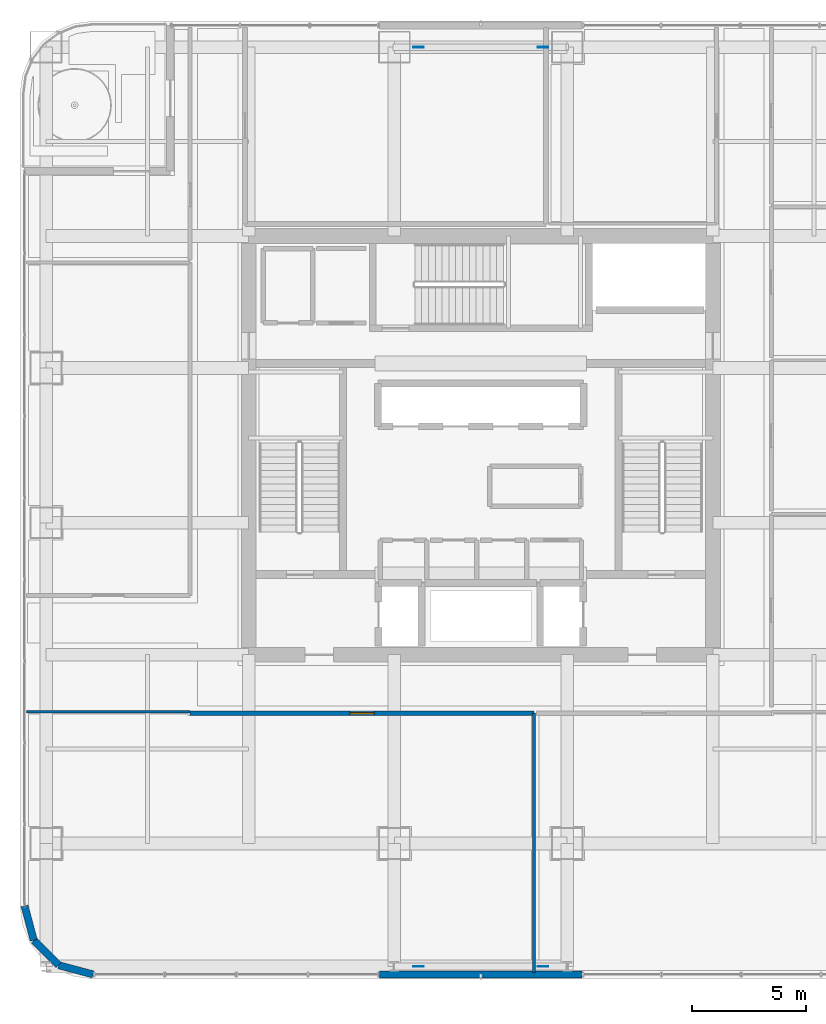
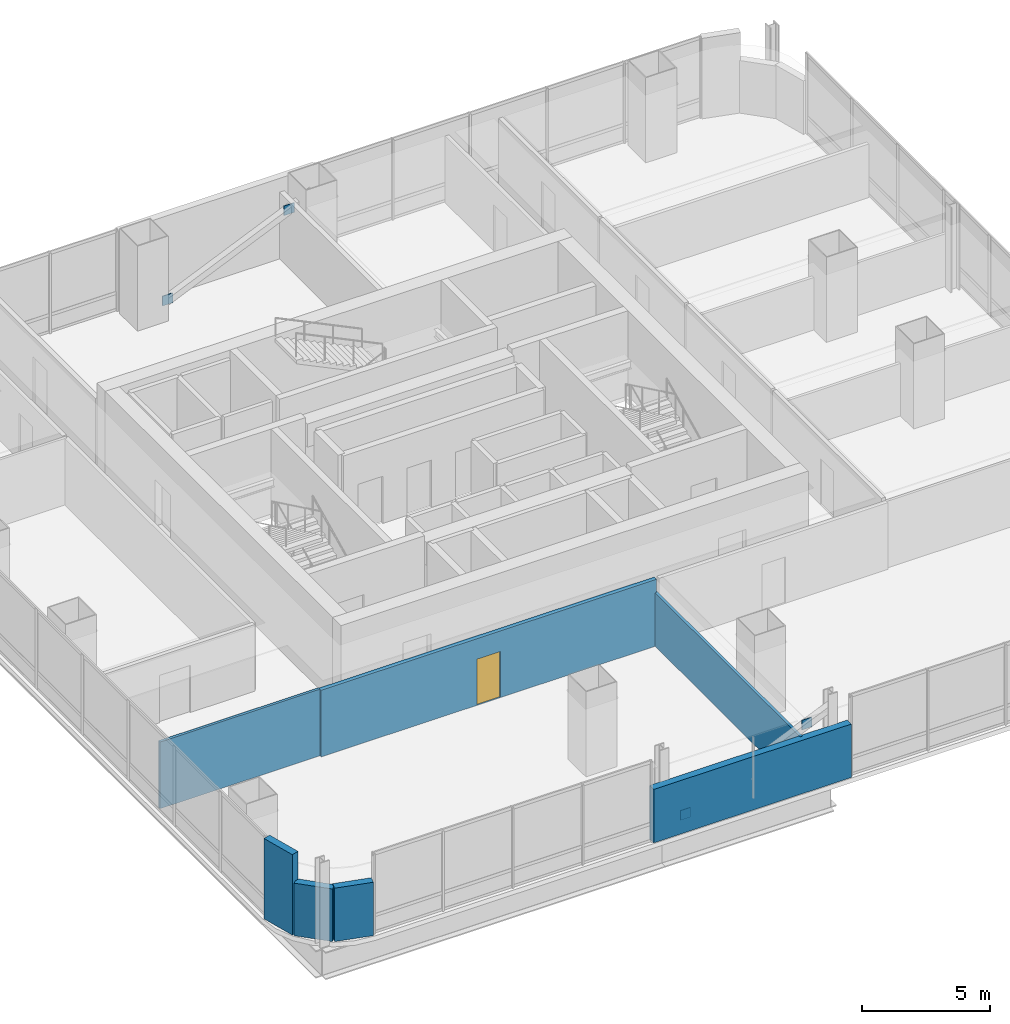
# One storey, part 29 of 41: 7 walls, 4 plates, 1 door, 1 opening.
"""IFC4 building model written with IfcOpenShell, lengths in metres."""

import ifcopenshell
import ifcopenshell.guid

model = None  # the IFC model being written
_history = None  # IfcOwnerHistory: only IFC2X3 demands one
_inside = {}  # id of a spatial element -> (the spatial element, [elements in it])
_under = {}  # id of a project, library or spatial element -> (it, [spatial elements below it])
_declared = {}  # id of a project -> (the project, [libraries it declares])
_typed = {}  # id of a type object -> (the type object, [elements of that type])
_made_of = {}  # id of a material, layer set ... -> (it, [elements and type objects made of it])


def new_model(schema):
    """Start an empty IFC model of exactly this schema.

    Asked for "IFC4X3", IfcOpenShell would pick the latest addendum, in which some entities
    have other attributes; the version numbers below select the first issue.
    IFC2X3 requires an IfcOwnerHistory on every rooted entity: one is made here for all.
    """
    global model, _history
    if schema == "IFC4X3":
        model = ifcopenshell.file(schema_version=(4, 3, 0, 0))
    else:
        model = ifcopenshell.file(schema=schema)
    _inside.clear()
    _under.clear()
    _declared.clear()
    _typed.clear()
    _made_of.clear()
    _history = None
    if model.schema == "IFC2X3":
        org = make("IfcOrganization", Name="unknown")
        user = make(
            "IfcPersonAndOrganization",
            ThePerson=make("IfcPerson", FamilyName="unknown"),
            TheOrganization=org,
        )
        app = make(
            "IfcApplication",
            ApplicationDeveloper=org,
            Version="unknown",
            ApplicationFullName="unknown",
            ApplicationIdentifier="unknown",
        )
        _history = make(
            "IfcOwnerHistory",
            OwningUser=user,
            OwningApplication=app,
            ChangeAction="ADDED",
            CreationDate=0,
        )
    return model


def make(cls, **values):
    """One entity of the class cls with the attributes given. An attribute that is None is left unset."""
    return model.create_entity(
        cls, **{name: value for name, value in values.items() if value is not None}
    )


def rooted(cls, **values):
    """An entity with a GlobalId (a new one), such as an element, a storey or a relation."""
    return make(cls, GlobalId=ifcopenshell.guid.new(), OwnerHistory=_history, **values)


def si_unit(unit_type, name, prefix=None):
    """IfcSIUnit, for example si_unit("LENGTHUNIT", "METRE", prefix="MILLI")."""
    return make("IfcSIUnit", UnitType=unit_type, Prefix=prefix, Name=name)


def assignment(units):
    """IfcUnitAssignment: the units of a project."""
    return None if units is None else make("IfcUnitAssignment", Units=units)


def point(xyz):
    """IfcCartesianPoint."""
    return None if xyz is None else make("IfcCartesianPoint", Coordinates=xyz)


def direction(xyz):
    """IfcDirection."""
    return None if xyz is None else make("IfcDirection", DirectionRatios=xyz)


def frame(location, z_axis=None, x_axis=None):
    """IfcAxis2Placement3D, a coordinate frame: its origin and axes. An axis left out is left unset."""
    return make(
        "IfcAxis2Placement3D",
        Location=point(location),
        Axis=direction(z_axis),
        RefDirection=direction(x_axis),
    )


def frame_2d(location, x_axis=None):
    """IfcAxis2Placement2D, a coordinate frame in the plane: its origin and x axis."""
    return make(
        "IfcAxis2Placement2D", Location=point(location), RefDirection=direction(x_axis)
    )


def origin():
    """The frame at (0, 0, 0) with its axes left unset."""
    return frame((0.0, 0.0, 0.0))


def origin_2d():
    """The frame at (0, 0) in the plane with its x axis left unset."""
    return frame_2d((0.0, 0.0))


def place(relative_to, where):
    """IfcLocalPlacement: puts the frame where relative to a parent placement (None: the world)."""
    return make(
        "IfcLocalPlacement", PlacementRelTo=relative_to, RelativePlacement=where
    )


def context(
    kind, dimensions, precision=None, world=None, true_north=None, identifier=None
):
    """IfcGeometricRepresentationContext, for example the 3D "Model" context."""
    return make(
        "IfcGeometricRepresentationContext",
        ContextIdentifier=identifier,
        ContextType=kind,
        CoordinateSpaceDimension=dimensions,
        Precision=precision,
        WorldCoordinateSystem=world,
        TrueNorth=true_north,
    )


def subcontext(parent, identifier, kind, view, scale=None):
    """IfcGeometricRepresentationSubContext, for example "Body" below "Model"."""
    return make(
        "IfcGeometricRepresentationSubContext",
        ContextIdentifier=identifier,
        ContextType=kind,
        ParentContext=parent,
        TargetScale=scale,
        TargetView=view,
    )


def project(units=None, contexts=None):
    """IfcProject with its units and contexts."""
    return rooted(
        "IfcProject",
        Name="project",
        RepresentationContexts=contexts,
        UnitsInContext=assignment(units),
    )


def spatial(cls, under=None, at=None, **own):
    """A site, building, storey or space (cls), placed at a placement, below another one or the project."""
    s = rooted(cls, ObjectPlacement=at, **own)
    if under is not None:
        _under.setdefault(under.id(), (under, []))[1].append(s)
    return s


def profile(cls, at=None, kind="AREA", **sizes):
    """A parametric profile (cls). Its sizes go by their IFC names, for example OverallWidth=200.0."""
    return make(cls, ProfileType=kind, Position=at, **sizes)


def rectangle(**sizes):
    """IfcRectangleProfileDef."""
    return profile("IfcRectangleProfileDef", **sizes)


def extrude(swept, where, along, depth):
    """IfcExtrudedAreaSolid: the profile swept, set in the frame where, extruded along a direction by depth."""
    return make(
        "IfcExtrudedAreaSolid",
        SweptArea=swept,
        Position=where,
        ExtrudedDirection=direction(along),
        Depth=depth,
    )


def shape(context_of_items, identifier, shape_type, items):
    """IfcShapeRepresentation: the items that make up one representation, for example the "Body"."""
    return make(
        "IfcShapeRepresentation",
        ContextOfItems=context_of_items,
        RepresentationIdentifier=identifier,
        RepresentationType=shape_type,
        Items=items,
    )


def material(Name=None, Category=None):
    """IfcMaterial."""
    return make("IfcMaterial", Name=Name, Category=Category)


def layer(
    of_material, thickness, ventilated=None, Name=None, Category=None, Priority=None
):
    """IfcMaterialLayer: one layer of a wall or slab, of a material (None: an air gap)."""
    return make(
        "IfcMaterialLayer",
        Material=of_material,
        LayerThickness=thickness,
        IsVentilated=ventilated,
        Name=Name,
        Category=Category,
        Priority=Priority,
    )


def layer_set(layers, Name=None):
    """IfcMaterialLayerSet."""
    return make("IfcMaterialLayerSet", MaterialLayers=layers, LayerSetName=Name)


def made_of(thing, what):
    """Note that an element or type object is made of a material, layer set ...; save() writes the relation."""
    if what is not None:
        _made_of.setdefault(what.id(), (what, []))[1].append(thing)
    return thing


def type_object(cls, material=None, **own):
    """A type object (cls), such as IfcWallType, which elements share."""
    return made_of(rooted(cls, **own), material)


def element(
    cls,
    number,
    at=None,
    inside=None,
    cuts=None,
    type_object=None,
    material=None,
    context=None,
    identifier="Body",
    shape_type=None,
    held_by="IfcProductDefinitionShape",
    body=None,
    shapes=None,
    **own,
):
    """One element of the class cls, such as IfcWall. Its Tag is "e" and its number.

    at: its placement. inside: the storey or other place that contains it. cuts: it is an
    opening in that element (IfcRelVoidsElement). A single representation is given by context,
    identifier, shape_type and body (its items); several are given by shapes. held_by: the class
    of the entity that holds the representations. save() writes the other relations.
    """
    e = rooted(cls, Tag="e%d" % number, ObjectPlacement=at, **own)
    if body is not None:
        shapes = [shape(context, identifier, shape_type, body)]
    if shapes is not None:
        e.Representation = make(held_by, Representations=shapes)
    if inside is not None:
        _inside.setdefault(inside.id(), (inside, []))[1].append(e)
    if cuts is not None:
        rooted(
            "IfcRelVoidsElement", RelatingBuildingElement=cuts, RelatedOpeningElement=e
        )
    if type_object is not None:
        _typed.setdefault(type_object.id(), (type_object, []))[1].append(e)
    return made_of(e, material)


def fill(opening, filler):
    """IfcRelFillsElement: the door or window that sits in an opening."""
    return rooted(
        "IfcRelFillsElement",
        RelatingOpeningElement=opening,
        RelatedBuildingElement=filler,
    )


def aggregate(whole, parts):
    """IfcRelAggregates: a whole, such as a stair, and the parts it consists of."""
    return rooted("IfcRelAggregates", RelatingObject=whole, RelatedObjects=parts)


def save(model, path):
    """Write the relations noted so far, then the file.

    IfcRelAggregates (storeys below a building ...), IfcRelContainedInSpatialStructure (elements
    in a storey), IfcRelDefinesByType, IfcRelAssociatesMaterial and IfcRelDeclares: one each for
    every whole, place, type object, material and project.
    """
    for whole, parts in _under.values():
        aggregate(whole, parts)
    for where, things in _inside.values():
        rooted(
            "IfcRelContainedInSpatialStructure",
            RelatedElements=things,
            RelatingStructure=where,
        )
    for kind, things in _typed.values():
        rooted("IfcRelDefinesByType", RelatedObjects=things, RelatingType=kind)
    for what, things in _made_of.values():
        rooted("IfcRelAssociatesMaterial", RelatedObjects=things, RelatingMaterial=what)
    for by, libraries in _declared.values():
        rooted("IfcRelDeclares", RelatingContext=by, RelatedDefinitions=libraries)
    model.write(path)


model = new_model("IFC4")

# Units and contexts
model_context = context("Model", 3, precision=1e-05, world=origin(), true_north=direction((0.0, 1.0)))
body_context = subcontext(model_context, "Body", "Model", "MODEL_VIEW")
ifc_project = project(units=[si_unit("LENGTHUNIT", "METRE"), si_unit("AREAUNIT", "SQUARE_METRE"), si_unit("VOLUMEUNIT", "CUBIC_METRE"), si_unit("PLANEANGLEUNIT", "RADIAN"), si_unit("MASSUNIT", "GRAM", prefix="KILO")], contexts=[model_context])

# Site, building, storey
site_placement = place(None, origin())
site = spatial("IfcSite", under=ifc_project, at=site_placement, CompositionType="ELEMENT")
building_placement = place(site_placement, origin())
building = spatial("IfcBuilding", under=site, at=building_placement, Name="Punatoya Terracotta Tower", CompositionType="ELEMENT")
storey_placement = place(building_placement, frame((0.0, 0.0, 220.800048828125)))
storey = spatial("IfcBuildingStorey", under=building, at=storey_placement, Name="L52", CompositionType="ELEMENT", Elevation=220.800048828125)

# Plates
ifc_material_1 = material(Name="Steel S460", Category="steel")
ifc_layer_1 = layer(ifc_material_1, 0.031982421875)
ifc_layer_set_1 = layer_set([ifc_layer_1], Name="Steel S460")
plate_type = type_object("IfcPlateType", Name="PLT-END-32", PredefinedType="USERDEFINED", material=ifc_layer_set_1)
for number, where, z_axis, x_axis, name in (
    (1, (-2.736083984375, -22.89990234375, 0.25341796875), (0.0, 0.0, 1.0), (1.0, 0.0, 0.0), "L52 Wind Brace S2 End Plate 1"),
    (2, (2.736083984375, -22.89990234375, 2.636474609375), (0.0, 0.0, 1.0), (1.0, 0.0, 0.0), "L52 Wind Brace S2 End Plate 2"),
    (3, (-2.736083984375, 17.5, 0.25341796875), (0.0, 0.0, 1.0), (1.0, 0.0, 0.0), "L52 Wind Brace N2 End Plate 1"),
    (4, (2.736083984375, 17.5, 2.636474609375), (0.0, 0.0, 1.0), (1.0, 0.0, 0.0), "L52 Wind Brace N2 End Plate 2"),
):
    element("IfcPlate", number, at=place(storey_placement, frame(where, z_axis=z_axis, x_axis=x_axis)), inside=storey, type_object=plate_type, Name=name, ObjectType="FLANGE_PLATE", PredefinedType="USERDEFINED", context=body_context, shape_type="SweptSolid", body=[
        extrude(rectangle(XDim=0.4599609375, YDim=0.031982421875, at=origin_2d()), origin(), (0.0, 0.0, 1.0), 0.4599609375),
    ])

# Wall, opening, door
ifc_material_2 = material(Name="Gypsum Fireboard + Steel Stud", Category="steel")
ifc_layer_2 = layer(ifc_material_2, 0.179931640625)
ifc_layer_set_2 = layer_set([ifc_layer_2], Name="Gypsum Fireboard + Steel Stud")
wall_type_1 = type_object("IfcWallType", Name="WL-CORR-180", PredefinedType="PARTITIONING", material=ifc_layer_set_2)
wall_1_placement = place(storey_placement, frame((-12.77001953125, -11.77001953125, 0.0), z_axis=(0.0, 0.0, 1.0), x_axis=(1.0, 0.0, 0.0)))
wall_1 = element("IfcWall", 5, at=wall_1_placement, inside=storey, type_object=wall_type_1, Name="L52 Computational Simulation Laboratory Partition 21", PredefinedType="PARTITIONING", context=body_context, shape_type="SweptSolid", body=[
    extrude(rectangle(XDim=15.110107421875, YDim=0.179931640625, at=frame_2d((7.55517578125, 0.0))), origin(), (0.0, 0.0, 1.0), 3.174072265625),
])
opening_placement = place(wall_1_placement, frame((7.030029296875, 0.0, 0.0)))
opening = element("IfcOpeningElement", 6, at=opening_placement, cuts=wall_1, Name="Opening OD-01", PredefinedType="OPENING", context=body_context, shape_type="SweptSolid", body=[
    extrude(rectangle(XDim=1.050048828125, YDim=2.199951171875, at=frame_2d((0.52490234375, 1.10009765625))), frame((0.0, 0.099853515625, 0.0), z_axis=(0.0, -1.0, 0.0), x_axis=(1.0, 0.0, 0.0)), (0.0, 0.0, 1.0), 0.199951171875),
])
ifc_material_3 = material(Name="Bengal Teak Solid-Core Leaf")
door_type = type_object("IfcDoorType", Name="DR-OFF-1050", OperationType="NOTDEFINED", PredefinedType="DOOR", material=ifc_material_3)
door_placement = place(opening_placement, origin())
door = element("IfcDoor", 7, at=door_placement, inside=storey, type_object=door_type, Name="L52 Computational Simulation Laboratory Door", OperationType="SINGLE_SWING_LEFT", OverallHeight=2.199951171875, OverallWidth=1.050048828125, PredefinedType="DOOR", context=body_context, shape_type="SweptSolid", body=[
    extrude(rectangle(XDim=1.050048828125, YDim=2.199951171875, at=frame_2d((0.52490234375, 1.10009765625))), frame((0.0, 0.02490234375, 0.0), z_axis=(0.0, -1.0, 0.0), x_axis=(1.0, 0.0, 0.0)), (0.0, 0.0, 1.0), 0.050048828125),
])
fill(opening, door)

# Walls
ifc_material_4 = material(Name="Precast concrete C40/50", Category="concrete")
ifc_layer_3 = layer(ifc_material_4, 0.320068359375)
ifc_layer_set_3 = layer_set([ifc_layer_3], Name="Precast concrete C40/50")
wall_type_2 = type_object("IfcWallType", Name="WL-EXT-320", PredefinedType="SOLIDWALL", material=ifc_layer_set_3)
wall_2_placement = place(storey_placement, frame((-4.449951171875, -23.25, 0.0), z_axis=(0.0, 0.0, 1.0), x_axis=(1.0, 0.0, 0.0)))
element("IfcWall", 8, at=wall_2_placement, inside=storey, type_object=wall_type_2, Name="L52 Terracotta Braced Facade Wall S1", PredefinedType="SOLIDWALL", context=body_context, shape_type="SweptSolid", body=[
    extrude(rectangle(XDim=8.89990234375, YDim=0.320068359375, at=frame_2d((4.449951171875, 0.0))), origin(), (0.0, 0.0, 1.0), 2.5439453125),
])
wall_3_placement = place(storey_placement, frame((-20.050048828125, -20.23681640625, 0.0), z_axis=(0.0, 0.0, 1.0), x_axis=(0.257847112249, -0.966185730957, 0.0)))
element("IfcWall", 9, at=wall_3_placement, inside=storey, type_object=wall_type_2, Name="L52 Rounded Terracotta Corner Pier 12", PredefinedType="SOLIDWALL", context=body_context, shape_type="SweptSolid", body=[
    extrude(rectangle(XDim=1.565185546875, YDim=0.320068359375, at=frame_2d((0.78271484375, 0.0))), origin(), (0.0, 0.0, 1.0), 3.829833984375),
])
wall_4_placement = place(storey_placement, frame((-19.646484375, -21.7490234375, 0.0), z_axis=(0.0, 0.0, 1.0), x_axis=(0.707028130747, -0.707185422879, 0.0)))
element("IfcWall", 10, at=wall_4_placement, inside=storey, type_object=wall_type_2, Name="L52 Rounded Terracotta Corner Pier 13", PredefinedType="SOLIDWALL", context=body_context, shape_type="SweptSolid", body=[
    extrude(rectangle(XDim=1.55224609375, YDim=0.320068359375, at=frame_2d((0.776123046875, 0.0))), origin(), (0.0, 0.0, 1.0), 2.50390625),
])
wall_5_placement = place(storey_placement, frame((-18.549072265625, -22.8466796875, 0.0), z_axis=(0.0, 0.0, 1.0), x_axis=(0.966224582397, -0.257701486942, 0.0)))
element("IfcWall", 11, at=wall_5_placement, inside=storey, type_object=wall_type_2, Name="L52 Rounded Terracotta Corner Pier 14", PredefinedType="SOLIDWALL", context=body_context, shape_type="SweptSolid", body=[
    extrude(rectangle(XDim=1.565185546875, YDim=0.320068359375, at=frame_2d((0.78271484375, 0.0))), origin(), (0.0, 0.0, 1.0), 2.5439453125),
])
ifc_material_5 = material(Name="Gypsum Partition + Steel Stud", Category="steel")
ifc_layer_4 = layer(ifc_material_5, 0.1201171875)
ifc_layer_set_4 = layer_set([ifc_layer_4], Name="Gypsum Partition + Steel Stud")
wall_type_3 = type_object("IfcWallType", Name="WL-OFF-120", PredefinedType="PARTITIONING", material=ifc_layer_set_4)
wall_6_placement = place(storey_placement, frame((-19.969970703125, -11.7099609375, 0.0), z_axis=(0.0, 0.0, 1.0), x_axis=(1.0, 0.0, 0.0)))
element("IfcWall", 12, at=wall_6_placement, inside=storey, type_object=wall_type_3, Name="L52 Computational Simulation Laboratory Partition 20", PredefinedType="PARTITIONING", context=body_context, shape_type="SweptSolid", body=[
    extrude(rectangle(XDim=7.199951171875, YDim=0.1201171875, at=frame_2d((3.60009765625, 0.0))), origin(), (0.0, 0.0, 1.0), 3.174072265625),
])
wall_7_placement = place(storey_placement, frame((2.340087890625, -11.77001953125, 0.0), z_axis=(0.0, 0.0, 1.0), x_axis=(0.0, -1.0, 0.0)))
element("IfcWall", 13, at=wall_7_placement, inside=storey, type_object=wall_type_3, Name="L52 Computational Simulation Laboratory Partition 22", PredefinedType="PARTITIONING", context=body_context, shape_type="SweptSolid", body=[
    extrude(rectangle(XDim=11.39990234375, YDim=0.1201171875, at=frame_2d((5.699951171875, 0.0))), origin(), (0.0, 0.0, 1.0), 2.5439453125),
])

save(model, "model.ifc")
